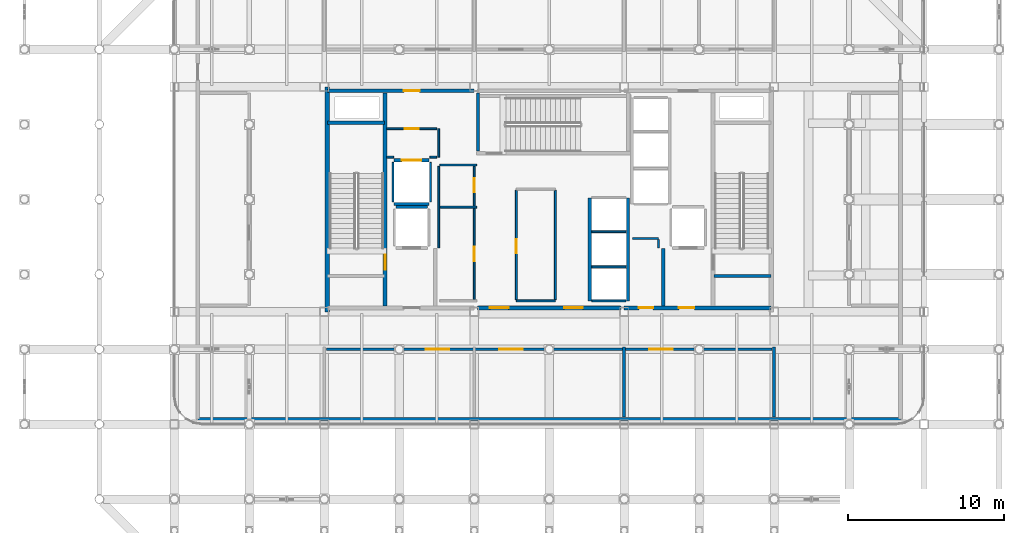
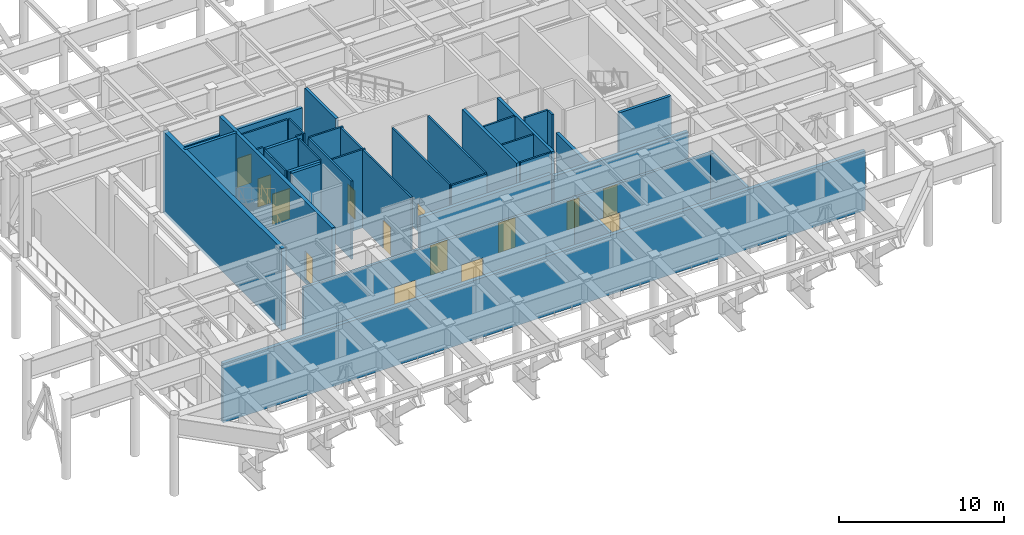
# One storey, part 14 of 20: 36 walls, 14 doors, 14 openings.
"""IFC4 building model written with IfcOpenShell, lengths in metres."""

from ifc_helpers import new_model, si_unit, direction, frame, frame_2d, origin, place, context, subcontext, project, spatial, rectangle, extrude, material, layer, layer_set, type_object, element, fill, save


model = new_model("IFC4")

# Units and contexts
model_context = context("Model", 3, precision=1e-05, world=origin(), true_north=direction((0.0, 1.0)))
body_context = subcontext(model_context, "Body", "Model", "MODEL_VIEW")
ifc_project = project(units=[si_unit("LENGTHUNIT", "METRE"), si_unit("AREAUNIT", "SQUARE_METRE"), si_unit("VOLUMEUNIT", "CUBIC_METRE"), si_unit("PLANEANGLEUNIT", "RADIAN"), si_unit("MASSUNIT", "GRAM", prefix="KILO")], contexts=[model_context])

# Site, building, storey
site_placement = place(None, origin())
site = spatial("IfcSite", under=ifc_project, at=site_placement, CompositionType="ELEMENT")
building_placement = place(site_placement, origin())
building = spatial("IfcBuilding", under=site, at=building_placement, Name="Kallvorn Hotel Tower", CompositionType="ELEMENT")
storey_placement = place(building_placement, frame((0.0, 0.0, 276.199951171875)))
storey = spatial("IfcBuildingStorey", under=building, at=storey_placement, Name="L69", CompositionType="ELEMENT", Elevation=276.199951171875)

# Wall
ifc_material_1 = material(Name="Concrete C50/60", Category="concrete")
ifc_layer_1 = layer(ifc_material_1, 0.300048828125)
ifc_layer_set_1 = layer_set([ifc_layer_1], Name="WL_CORE_300")
wall_type_1 = type_object("IfcWallType", Name="WL_CORE_300", PredefinedType="SHEAR", material=ifc_layer_set_1)
wall_1_placement = place(storey_placement, frame((-14.215087890625, -7.199951171875, -0.25), z_axis=(0.0, 0.0, 1.0), x_axis=(0.0, 1.0, 0.0)))
element("IfcWall", 1, at=wall_1_placement, inside=storey, type_object=wall_type_1, Name="L69 Core West Shear Wall", PredefinedType="SHEAR", context=body_context, shape_type="SweptSolid", body=[
    extrude(rectangle(XDim=14.39990234375, YDim=0.300048828125, at=frame_2d((7.199951171875, 0.0))), origin(), (0.0, 0.0, 1.0), 6.050048828125),
])

# Wall, openings, doors
ifc_material_2 = material(Name="Fire-rated double-layer acoustic gypsum drywall EI 60")
ifc_layer_2 = layer(ifc_material_2, 0.179931640625)
ifc_layer_set_2 = layer_set([ifc_layer_2], Name="WL_CORR_180")
wall_type_2 = type_object("IfcWallType", Name="WL_CORR_180", PredefinedType="PARTITIONING", material=ifc_layer_set_2)
wall_2_placement = place(storey_placement, frame((-14.25, -9.60009765625, 0.0), z_axis=(0.0, 0.0, 1.0), x_axis=(1.0, 0.0, 0.0)))
wall_2 = element("IfcWall", 2, at=wall_2_placement, inside=storey, type_object=wall_type_2, Name="L69 L69 Pressurised Fire Refuge Area South Partition", PredefinedType="PARTITIONING", context=body_context, shape_type="SweptSolid", body=[
    extrude(rectangle(XDim=28.5, YDim=0.179931640625, at=frame_2d((14.25, 0.0))), origin(), (0.0, 0.0, 1.0), 4.400146484375),
])
opening_1_placement = place(wall_2_placement, frame((6.35400390625, 0.0, 0.0)))
opening_1 = element("IfcOpeningElement", 3, at=opening_1_placement, cuts=wall_2, Name="Opening PD1", PredefinedType="OPENING", context=body_context, shape_type="SweptSolid", body=[
    extrude(rectangle(XDim=1.5, YDim=2.199951171875, at=frame_2d((0.75, 1.10009765625))), frame((0.0, 0.104736328125, 0.0), z_axis=(0.0, -1.0, 0.0), x_axis=(1.0, 0.0, 0.0)), (0.0, 0.0, 1.0), 0.2099609375),
])
opening_2_placement = place(wall_2_placement, frame((11.056396484375, 0.0, 0.0)))
opening_2 = element("IfcOpeningElement", 4, at=opening_2_placement, cuts=wall_2, Name="Opening PD1", PredefinedType="OPENING", context=body_context, shape_type="SweptSolid", body=[
    extrude(rectangle(XDim=1.5, YDim=2.199951171875, at=frame_2d((0.75, 1.10009765625))), frame((0.0, 0.104736328125, 0.0), z_axis=(0.0, -1.0, 0.0), x_axis=(1.0, 0.0, 0.0)), (0.0, 0.0, 1.0), 0.2099609375),
])
opening_3_placement = place(wall_2_placement, frame((20.64599609375, 0.0, 0.0)))
opening_3 = element("IfcOpeningElement", 5, at=opening_3_placement, cuts=wall_2, Name="Opening PD1", PredefinedType="OPENING", context=body_context, shape_type="SweptSolid", body=[
    extrude(rectangle(XDim=1.5, YDim=2.199951171875, at=frame_2d((0.75, 1.10009765625))), frame((0.0, 0.104736328125, 0.0), z_axis=(0.0, -1.0, 0.0), x_axis=(1.0, 0.0, 0.0)), (0.0, 0.0, 1.0), 0.2099609375),
])
ifc_material_3 = material(Name="Galvanised painted steel fire-rated door assembly", Category="steel")
door_type_1 = type_object("IfcDoorType", Name="DR_PLANT_1500x2200", OperationType="DOUBLE_DOOR_SINGLE_SWING", PredefinedType="DOOR", material=ifc_material_3)
door_1_placement = place(opening_1_placement, origin())
door_1 = element("IfcDoor", 6, at=door_1_placement, inside=storey, type_object=door_type_1, Name="L69 L69 Pressurised Fire Refuge Area South Door", OperationType="DOUBLE_DOOR_SINGLE_SWING", OverallHeight=2.199951171875, OverallWidth=1.5, PredefinedType="DOOR", context=body_context, shape_type="SweptSolid", body=[
    extrude(rectangle(XDim=1.5, YDim=2.199951171875, at=frame_2d((0.75, 1.10009765625))), frame((0.0, 0.02490234375, 0.0), z_axis=(0.0, -1.0, 0.0), x_axis=(1.0, 0.0, 0.0)), (0.0, 0.0, 1.0), 0.050048828125),
])
fill(opening_1, door_1)
door_2_placement = place(opening_2_placement, origin())
door_2 = element("IfcDoor", 7, at=door_2_placement, inside=storey, type_object=door_type_1, Name="L69 L69 Air Handling and Ventilation Fan Plant Door", OperationType="DOUBLE_DOOR_SINGLE_SWING", OverallHeight=2.199951171875, OverallWidth=1.5, PredefinedType="DOOR", context=body_context, shape_type="SweptSolid", body=[
    extrude(rectangle(XDim=1.5, YDim=2.199951171875, at=frame_2d((0.75, 1.10009765625))), frame((0.0, 0.02490234375, 0.0), z_axis=(0.0, -1.0, 0.0), x_axis=(1.0, 0.0, 0.0)), (0.0, 0.0, 1.0), 0.050048828125),
])
fill(opening_2, door_2)
door_3_placement = place(opening_3_placement, origin())
door_3 = element("IfcDoor", 8, at=door_3_placement, inside=storey, type_object=door_type_1, Name="L69 L69 Chilled-Water Heat Exchanger Plant Door", OperationType="DOUBLE_DOOR_SINGLE_SWING", OverallHeight=2.199951171875, OverallWidth=1.5, PredefinedType="DOOR", context=body_context, shape_type="SweptSolid", body=[
    extrude(rectangle(XDim=1.5, YDim=2.199951171875, at=frame_2d((0.75, 1.10009765625))), frame((0.0, 0.02490234375, 0.0), z_axis=(0.0, -1.0, 0.0), x_axis=(1.0, 0.0, 0.0)), (0.0, 0.0, 1.0), 0.050048828125),
])
fill(opening_3, door_3)

# Walls
for number, where, z_axis, x_axis, name in (
    (9, (4.800048828125, -13.945068359375, 0.0), (0.0, 0.0, 1.0), (0.0, 1.0, 0.0), "L69 L69 Air Handling and Ventilation Fan Plant Partition"),
    (10, (14.39990234375, -13.945068359375, 0.0), (0.0, 0.0, 1.0), (0.0, 1.0, 0.0), "L69 L69 Chilled-Water Heat Exchanger Plant Partition"),
):
    element("IfcWall", number, at=place(storey_placement, frame(where, z_axis=z_axis, x_axis=x_axis)), inside=storey, type_object=wall_type_2, Name=name, PredefinedType="PARTITIONING", context=body_context, shape_type="SweptSolid", body=[
        extrude(rectangle(XDim=4.4951171875, YDim=0.179931640625, at=frame_2d((2.24755859375, 0.0))), origin(), (0.0, 0.0, 1.0), 4.400146484375),
    ])
ifc_material_4 = material(Name="Precast basalt-clad insulated concrete wall C40/50", Category="masonry")
ifc_layer_3 = layer(ifc_material_4, 0.25)
ifc_layer_set_3 = layer_set([ifc_layer_3], Name="WL_EXT_HUB_250")
wall_type_3 = type_object("IfcWallType", Name="WL_EXT_HUB_250", PredefinedType="SOLIDWALL", material=ifc_layer_set_3)
wall_3_placement = place(storey_placement, frame((22.5, -14.080078125, 0.0), z_axis=(0.0, 0.0, 1.0), x_axis=(-1.0, 0.0, 0.0)))
element("IfcWall", 11, at=wall_3_placement, inside=storey, type_object=wall_type_3, Name="L69 Wind-Hub Acoustic Enclosure Wall S", PredefinedType="SOLIDWALL", context=body_context, shape_type="SweptSolid", body=[
    extrude(rectangle(XDim=45.0, YDim=0.25, at=frame_2d((22.5, 0.0))), origin(), (0.0, 0.0, 1.0), 4.400146484375),
])
ifc_material_5 = material(Name="Concrete C40/50", Category="concrete")
ifc_layer_4 = layer(ifc_material_5, 0.219970703125)
ifc_layer_set_4 = layer_set([ifc_layer_4], Name="WL_FFL_220")
wall_type_4 = type_object("IfcWallType", Name="WL_FFL_220", PredefinedType="SOLIDWALL", material=ifc_layer_set_4)
wall_4_placement = place(storey_placement, frame((7.300048828125, -6.820068359375, 0.0), z_axis=(0.0, 0.0, 1.0), x_axis=(0.0, 1.0, 0.0)))
element("IfcWall", 12, at=wall_4_placement, inside=storey, type_object=wall_type_4, Name="L69 Firefighting Lobby East Divider Wall", PredefinedType="SOLIDWALL", context=body_context, shape_type="SweptSolid", body=[
    extrude(rectangle(XDim=3.670166015625, YDim=0.219970703125, at=frame_2d((1.8349609375, 0.0))), origin(), (0.0, 0.0, 1.0), 4.400146484375),
])
ifc_material_6 = material(Name="Concrete C40/50", Category="concrete")
ifc_layer_5 = layer(ifc_material_6, 0.199951171875)
ifc_layer_set_5 = layer_set([ifc_layer_5], Name="WL_HOIST_200")
wall_type_5 = type_object("IfcWallType", Name="WL_HOIST_200", PredefinedType="SOLIDWALL", material=ifc_layer_set_5)
for number, where, z_axis, x_axis, name in (
    (13, (-14.199951171875, 4.89990234375, -0.25), (0.0, 0.0, 1.0), (1.0, 0.0, 0.0), "L69 Stair ST1 North Wall"),
    (14, (10.550048828125, -4.89990234375, -0.25), (0.0, 0.0, 1.0), (1.0, 0.0, 0.0), "L69 Stair ST2 South Wall"),
):
    element("IfcWall", number, at=place(storey_placement, frame(where, z_axis=z_axis, x_axis=x_axis)), inside=storey, type_object=wall_type_5, Name=name, PredefinedType="SOLIDWALL", context=body_context, shape_type="SweptSolid", body=[
        extrude(rectangle(XDim=3.64990234375, YDim=0.199951171875, at=frame_2d((1.824951171875, 0.0))), origin(), (0.0, 0.0, 1.0), 6.050048828125),
    ])
wall_5_placement = place(storey_placement, frame((-4.550048828125, 3.080078125, -0.25), z_axis=(0.0, 0.0, 1.0), x_axis=(0.0, 1.0, 0.0)))
element("IfcWall", 15, at=wall_5_placement, inside=storey, type_object=wall_type_5, Name="L69 Stair ST3 West Wall", PredefinedType="SOLIDWALL", context=body_context, shape_type="SweptSolid", body=[
    extrude(rectangle(XDim=3.739990234375, YDim=0.199951171875, at=frame_2d((1.8701171875, 0.0))), origin(), (0.0, 0.0, 1.0), 6.050048828125),
])
for number, where, z_axis, x_axis, name in (
    (16, (2.60009765625, -6.5, 0.0), (0.0, 0.0, 1.0), (0.0, 1.0, 0.0), "L69 Lift Bank B3A Landing Wall"),
    (17, (5.050048828125, -6.5, 0.0), (0.0, 0.0, 1.0), (0.0, 1.0, 0.0), "L69 Lift Bank B3A Rear Shaft Wall"),
):
    element("IfcWall", number, at=place(storey_placement, frame(where, z_axis=z_axis, x_axis=x_axis)), inside=storey, type_object=wall_type_5, Name=name, PredefinedType="SOLIDWALL", context=body_context, shape_type="SweptSolid", body=[
        extrude(rectangle(XDim=6.60009765625, YDim=0.199951171875, at=frame_2d((3.300048828125, 0.0))), origin(), (0.0, 0.0, 1.0), 5.800048828125),
    ])
wall_6_placement = place(storey_placement, frame((-9.820068359375, -0.5, 0.0), z_axis=(0.0, 0.0, 1.0), x_axis=(1.0, 0.0, 0.0)))
element("IfcWall", 18, at=wall_6_placement, inside=storey, type_object=wall_type_5, Name="L69 FL-1 Rear Shaft Wall", PredefinedType="SOLIDWALL", context=body_context, shape_type="SweptSolid", body=[
    extrude(rectangle(XDim=2.0400390625, YDim=0.199951171875, at=frame_2d((1.02001953125, 0.0))), origin(), (0.0, 0.0, 1.0), 5.800048828125),
])

# Wall, opening, door
wall_7_placement = place(storey_placement, frame((-9.919921875, 2.5, 0.0), z_axis=(0.0, 0.0, 1.0), x_axis=(1.0, 0.0, 0.0)))
wall_7 = element("IfcWall", 19, at=wall_7_placement, inside=storey, type_object=wall_type_5, Name="L69 SV-01 Landing Wall", PredefinedType="SOLIDWALL", context=body_context, shape_type="SweptSolid", body=[
    extrude(rectangle(XDim=2.239990234375, YDim=0.199951171875, at=frame_2d((1.1201171875, 0.0))), origin(), (0.0, 0.0, 1.0), 5.800048828125),
])
opening_4_placement = place(wall_7_placement, frame((0.4951171875, 0.0, 0.0)))
opening_4 = element("IfcOpeningElement", 20, at=opening_4_placement, cuts=wall_7, Name="Opening LD-SV-01", PredefinedType="OPENING", context=body_context, shape_type="SweptSolid", body=[
    extrude(rectangle(XDim=1.25, YDim=2.25, at=frame_2d((0.625, 1.125))), frame((0.0, 0.114990234375, 0.0), z_axis=(0.0, -1.0, 0.0), x_axis=(1.0, 0.0, 0.0)), (0.0, 0.0, 1.0), 0.22998046875),
])
ifc_material_7 = material(Name="Brushed stainless-steel automatic sliding lift landing door", Category="steel")
door_type_2 = type_object("IfcDoorType", Name="LD_SERV_1250x2250", OperationType="SLIDING_TO_LEFT", PredefinedType="DOOR", material=ifc_material_7)
door_4_placement = place(opening_4_placement, origin())
door_4 = element("IfcDoor", 21, at=door_4_placement, inside=storey, type_object=door_type_2, Name="L69 Lift Landing Sliding Door LD-SV-01", OperationType="SLIDING_TO_LEFT", OverallHeight=2.25, OverallWidth=1.25, PredefinedType="DOOR", context=body_context, shape_type="SweptSolid", body=[
    extrude(rectangle(XDim=1.25, YDim=2.25, at=frame_2d((0.625, 1.125))), frame((0.0, 0.02490234375, 0.0), z_axis=(0.0, -1.0, 0.0), x_axis=(1.0, 0.0, 0.0)), (0.0, 0.0, 1.0), 0.050048828125),
])
fill(opening_4, door_4)

# Walls
wall_8_placement = place(storey_placement, frame((-9.919921875, -0.300048828125, 0.0), z_axis=(0.0, 0.0, 1.0), x_axis=(1.0, 0.0, 0.0)))
element("IfcWall", 22, at=wall_8_placement, inside=storey, type_object=wall_type_5, Name="L69 SV-01 Rear Shaft Wall", PredefinedType="SOLIDWALL", context=body_context, shape_type="SweptSolid", body=[
    extrude(rectangle(XDim=2.239990234375, YDim=0.199951171875, at=frame_2d((1.1201171875, 0.0))), origin(), (0.0, 0.0, 1.0), 5.800048828125),
])
ifc_material_8 = material(Name="Fire-rated double-layer acoustic gypsum drywall EI 60")
ifc_layer_6 = layer(ifc_material_8, 0.1201171875)
ifc_layer_set_6 = layer_set([ifc_layer_6], Name="WL_INT_120")
wall_type_6 = type_object("IfcWallType", Name="WL_INT_120", PredefinedType="PARTITIONING", material=ifc_layer_set_6)
for number, where, z_axis, x_axis, name in (
    (23, (2.739990234375, -6.5, 0.0), (0.0, 0.0, 1.0), (1.0, 0.0, 0.0), "L69 Lift Bank B3A South Closure Wall"),
    (24, (2.739990234375, -4.324951171875, 0.0), (0.0, 0.0, 1.0), (1.0, 0.0, 0.0), "L69 PL-09 Hoistway Divider"),
    (25, (2.739990234375, -2.074951171875, 0.0), (0.0, 0.0, 1.0), (1.0, 0.0, 0.0), "L69 PL-10 Hoistway Divider"),
):
    element("IfcWall", number, at=place(storey_placement, frame(where, z_axis=z_axis, x_axis=x_axis)), inside=storey, type_object=wall_type_6, Name=name, PredefinedType="PARTITIONING", context=body_context, shape_type="SweptSolid", body=[
        extrude(rectangle(XDim=2.169921875, YDim=0.1201171875, at=frame_2d((1.0849609375, 0.0))), origin(), (0.0, 0.0, 1.0), 5.800048828125),
    ])
for number, where, z_axis, x_axis, name in (
    (26, (-10.0, -0.159912109375, 0.0), (0.0, 0.0, 1.0), (0.0, 1.0, 0.0), "L69 SV-01 West Shaft Wall"),
    (27, (-7.60009765625, -0.159912109375, 0.0), (0.0, 0.0, 1.0), (0.0, 1.0, 0.0), "L69 SV-01 East Shaft Wall"),
):
    element("IfcWall", number, at=place(storey_placement, frame(where, z_axis=z_axis, x_axis=x_axis)), inside=storey, type_object=wall_type_6, Name=name, PredefinedType="PARTITIONING", context=body_context, shape_type="SweptSolid", body=[
        extrude(rectangle(XDim=2.52001953125, YDim=0.1201171875, at=frame_2d((1.260009765625, 0.0))), origin(), (0.0, 0.0, 1.0), 5.800048828125),
    ])
wall_9_placement = place(storey_placement, frame((-2.10009765625, -6.5, 0.0), z_axis=(0.0, 0.0, 1.0), x_axis=(1.0, 0.0, 0.0)))
element("IfcWall", 28, at=wall_9_placement, inside=storey, type_object=wall_type_6, Name="L69 High-Zone IT and Tableware Reserve Room Partition", PredefinedType="PARTITIONING", context=body_context, shape_type="SweptSolid", body=[
    extrude(rectangle(XDim=2.5, YDim=0.1201171875, at=frame_2d((1.25, 0.0))), origin(), (0.0, 0.0, 1.0), 5.800048828125),
])
for number, where, z_axis, x_axis, name in (
    (29, (-7.0, -0.5, 0.0), (0.0, 0.0, 1.0), (1.0, 0.0, 0.0), "L69 Recaptured Full-Depth Sommelier Store Partition"),
    (30, (-7.0, 2.199951171875, 0.0), (0.0, 0.0, 1.0), (1.0, 0.0, 0.0), "L69 Recaptured Housekeeping Prep Room Partition"),
):
    element("IfcWall", number, at=place(storey_placement, frame(where, z_axis=z_axis, x_axis=x_axis)), inside=storey, type_object=wall_type_6, Name=name, PredefinedType="PARTITIONING", context=body_context, shape_type="SweptSolid", body=[
        extrude(rectangle(XDim=2.35009765625, YDim=0.1201171875, at=frame_2d((1.175048828125, 0.0))), origin(), (0.0, 0.0, 1.0), 5.800048828125),
    ])
for number, where, z_axis, x_axis, name in (
    (31, (-10.39990234375, 2.699951171875, 0.0), (0.0, 0.0, 1.0), (1.0, 0.0, 0.0), "L69 Core Telecom and Metering Store Partition"),
    (32, (-7.639892578125, 2.699951171875, 0.0), (0.0, 0.0, 1.0), (1.0, 0.0, 0.0), "L69 Core Telecom and Metering Store Partition"),
):
    element("IfcWall", number, at=place(storey_placement, frame(where, z_axis=z_axis, x_axis=x_axis)), inside=storey, type_object=wall_type_6, Name=name, PredefinedType="PARTITIONING", context=body_context, shape_type="SweptSolid", body=[
        extrude(rectangle(XDim=0.43994140625, YDim=0.1201171875, at=frame_2d((0.219970703125, 0.0))), origin(), (0.0, 0.0, 1.0), 5.800048828125),
    ])

# Wall, opening, door
wall_10_placement = place(storey_placement, frame((-10.39990234375, 4.52001953125, 0.0), z_axis=(0.0, 0.0, 1.0), x_axis=(1.0, 0.0, 0.0)))
wall_10 = element("IfcWall", 33, at=wall_10_placement, inside=storey, type_object=wall_type_6, Name="L69 Core Telecom and Metering Store Partition", PredefinedType="PARTITIONING", context=body_context, shape_type="SweptSolid", body=[
    extrude(rectangle(XDim=3.199951171875, YDim=0.1201171875, at=frame_2d((1.60009765625, 0.0))), origin(), (0.0, 0.0, 1.0), 5.800048828125),
])
opening_5_placement = place(wall_10_placement, frame((1.14990234375, 0.0, 0.0)))
opening_5 = element("IfcOpeningElement", 34, at=opening_5_placement, cuts=wall_10, Name="Opening SVD1", PredefinedType="OPENING", context=body_context, shape_type="SweptSolid", body=[
    extrude(rectangle(XDim=0.89990234375, YDim=2.10009765625, at=frame_2d((0.449951171875, 1.050048828125))), frame((0.0, 0.074951171875, 0.0), z_axis=(0.0, -1.0, 0.0), x_axis=(1.0, 0.0, 0.0)), (0.0, 0.0, 1.0), 0.150146484375),
])
ifc_material_9 = material(Name="Galvanised painted steel fire-rated door assembly", Category="steel")
door_type_3 = type_object("IfcDoorType", Name="DR_SERV_900x2100", OperationType="NOTDEFINED", PredefinedType="DOOR", material=ifc_material_9)
door_5_placement = place(opening_5_placement, origin())
door_5 = element("IfcDoor", 35, at=door_5_placement, inside=storey, type_object=door_type_3, Name="L69 Core Telecom and Metering Store Door", OperationType="SINGLE_SWING_LEFT", OverallHeight=2.10009765625, OverallWidth=0.89990234375, PredefinedType="DOOR", context=body_context, shape_type="SweptSolid", body=[
    extrude(rectangle(XDim=0.89990234375, YDim=2.10009765625, at=frame_2d((0.449951171875, 1.050048828125))), frame((0.0, 0.02490234375, 0.0), z_axis=(0.0, -1.0, 0.0), x_axis=(1.0, 0.0, 0.0)), (0.0, 0.0, 1.0), 0.050048828125),
])
fill(opening_5, door_5)

# Walls
wall_11_placement = place(storey_placement, frame((-7.066650390625, -3.110107421875, 0.0), z_axis=(0.0, 0.0, 1.0), x_axis=(0.0, 1.0, 0.0)))
element("IfcWall", 36, at=wall_11_placement, inside=storey, type_object=wall_type_6, Name="L69 Recaptured Full-Depth Sommelier Store Partition", PredefinedType="PARTITIONING", context=body_context, shape_type="SweptSolid", body=[
    extrude(rectangle(XDim=5.22509765625, YDim=0.1201171875, at=frame_2d((2.612548828125, 0.0))), origin(), (0.0, 0.0, 1.0), 5.800048828125),
])
wall_12_placement = place(storey_placement, frame((-7.066650390625, 2.699951171875, 0.0), z_axis=(0.0, 0.0, 1.0), x_axis=(0.0, 1.0, 0.0)))
element("IfcWall", 37, at=wall_12_placement, inside=storey, type_object=wall_type_6, Name="L69 Core Telecom and Metering Store Partition", PredefinedType="PARTITIONING", context=body_context, shape_type="SweptSolid", body=[
    extrude(rectangle(XDim=1.820068359375, YDim=0.1201171875, at=frame_2d((0.91015625, 0.0))), origin(), (0.0, 0.0, 1.0), 5.800048828125),
])

# Wall, openings, doors
wall_13_placement = place(storey_placement, frame((-4.800048828125, -6.4150390625, 0.0), z_axis=(0.0, 0.0, 1.0), x_axis=(0.0, 1.0, 0.0)))
wall_13 = element("IfcWall", 38, at=wall_13_placement, inside=storey, type_object=wall_type_6, Name="L69 Recaptured Full-Depth Sommelier Store Partition", PredefinedType="PARTITIONING", context=body_context, shape_type="SweptSolid", body=[
    extrude(rectangle(XDim=8.530029296875, YDim=0.1201171875, at=frame_2d((4.26513671875, 0.0))), origin(), (0.0, 0.0, 1.0), 5.800048828125),
])
opening_6_placement = place(wall_13_placement, frame((2.465087890625, 0.0, 0.0)))
opening_6 = element("IfcOpeningElement", 39, at=opening_6_placement, cuts=wall_13, Name="Opening SVD1", PredefinedType="OPENING", context=body_context, shape_type="SweptSolid", body=[
    extrude(rectangle(XDim=0.89990234375, YDim=2.10009765625, at=frame_2d((0.449951171875, 1.050048828125))), frame((0.0, 0.074951171875, 0.0), z_axis=(0.0, -1.0, 0.0), x_axis=(1.0, 0.0, 0.0)), (0.0, 0.0, 1.0), 0.150146484375),
])
opening_7_placement = place(wall_13_placement, frame((6.864990234375, 0.0, 0.0)))
opening_7 = element("IfcOpeningElement", 40, at=opening_7_placement, cuts=wall_13, Name="Opening SVD1", PredefinedType="OPENING", context=body_context, shape_type="SweptSolid", body=[
    extrude(rectangle(XDim=0.89990234375, YDim=2.10009765625, at=frame_2d((0.449951171875, 1.050048828125))), frame((0.0, 0.074951171875, 0.0), z_axis=(0.0, -1.0, 0.0), x_axis=(1.0, 0.0, 0.0)), (0.0, 0.0, 1.0), 0.150146484375),
])
door_6_placement = place(opening_6_placement, origin())
door_6 = element("IfcDoor", 41, at=door_6_placement, inside=storey, type_object=door_type_3, Name="L69 Recaptured Full-Depth Sommelier Store Door", OperationType="SINGLE_SWING_LEFT", OverallHeight=2.10009765625, OverallWidth=0.89990234375, PredefinedType="DOOR", context=body_context, shape_type="SweptSolid", body=[
    extrude(rectangle(XDim=0.89990234375, YDim=2.10009765625, at=frame_2d((0.449951171875, 1.050048828125))), frame((0.0, 0.02490234375, 0.0), z_axis=(0.0, -1.0, 0.0), x_axis=(1.0, 0.0, 0.0)), (0.0, 0.0, 1.0), 0.050048828125),
])
fill(opening_6, door_6)
door_7_placement = place(opening_7_placement, origin())
door_7 = element("IfcDoor", 42, at=door_7_placement, inside=storey, type_object=door_type_3, Name="L69 Recaptured Housekeeping Prep Room Door", OperationType="SINGLE_SWING_RIGHT", OverallHeight=2.10009765625, OverallWidth=0.89990234375, PredefinedType="DOOR", context=body_context, shape_type="SweptSolid", body=[
    extrude(rectangle(XDim=0.89990234375, YDim=2.10009765625, at=frame_2d((0.449951171875, 1.050048828125))), frame((0.0, 0.02490234375, 0.0), z_axis=(0.0, -1.0, 0.0), x_axis=(1.0, 0.0, 0.0)), (0.0, 0.0, 1.0), 0.050048828125),
])
fill(opening_7, door_7)

# Wall, opening, door
wall_14_placement = place(storey_placement, frame((-2.10009765625, -6.4150390625, 0.0), z_axis=(0.0, 0.0, 1.0), x_axis=(0.0, 1.0, 0.0)))
wall_14 = element("IfcWall", 43, at=wall_14_placement, inside=storey, type_object=wall_type_6, Name="L69 High-Zone IT and Tableware Reserve Room Partition", PredefinedType="PARTITIONING", context=body_context, shape_type="SweptSolid", body=[
    extrude(rectangle(XDim=6.97998046875, YDim=0.1201171875, at=frame_2d((3.489990234375, 0.0))), origin(), (0.0, 0.0, 1.0), 5.800048828125),
])
opening_8_placement = place(wall_14_placement, frame((2.965087890625, 0.0, 0.0)))
opening_8 = element("IfcOpeningElement", 44, at=opening_8_placement, cuts=wall_14, Name="Opening SVD1", PredefinedType="OPENING", context=body_context, shape_type="SweptSolid", body=[
    extrude(rectangle(XDim=0.89990234375, YDim=2.10009765625, at=frame_2d((0.449951171875, 1.050048828125))), frame((0.0, 0.074951171875, 0.0), z_axis=(0.0, -1.0, 0.0), x_axis=(1.0, 0.0, 0.0)), (0.0, 0.0, 1.0), 0.150146484375),
])
door_8_placement = place(opening_8_placement, origin())
door_8 = element("IfcDoor", 45, at=door_8_placement, inside=storey, type_object=door_type_3, Name="L69 High-Zone IT and Tableware Reserve Room Door", OperationType="SINGLE_SWING_LEFT", OverallHeight=2.10009765625, OverallWidth=0.89990234375, PredefinedType="DOOR", context=body_context, shape_type="SweptSolid", body=[
    extrude(rectangle(XDim=0.89990234375, YDim=2.10009765625, at=frame_2d((0.449951171875, 1.050048828125))), frame((0.0, 0.02490234375, 0.0), z_axis=(0.0, -1.0, 0.0), x_axis=(1.0, 0.0, 0.0)), (0.0, 0.0, 1.0), 0.050048828125),
])
fill(opening_8, door_8)

# Walls
wall_15_placement = place(storey_placement, frame((0.39990234375, -6.4150390625, 0.0), z_axis=(0.0, 0.0, 1.0), x_axis=(0.0, 1.0, 0.0)))
element("IfcWall", 46, at=wall_15_placement, inside=storey, type_object=wall_type_6, Name="L69 High-Zone IT and Tableware Reserve Room Partition", PredefinedType="PARTITIONING", context=body_context, shape_type="SweptSolid", body=[
    extrude(rectangle(XDim=6.97998046875, YDim=0.1201171875, at=frame_2d((3.489990234375, 0.0))), origin(), (0.0, 0.0, 1.0), 5.800048828125),
])
ifc_material_10 = material(Name="Moisture-resistant acoustic plumbing chase wall EI 60")
ifc_layer_7 = layer(ifc_material_10, 0.139892578125)
ifc_layer_set_7 = layer_set([ifc_layer_7], Name="WL_PLUMB_140")
wall_type_7 = type_object("IfcWallType", Name="WL_PLUMB_140", PredefinedType="PLUMBINGWALL", material=ifc_layer_set_7)
wall_16_placement = place(storey_placement, frame((5.35009765625, -2.5, 0.0), z_axis=(0.0, 0.0, 1.0), x_axis=(1.0, 0.0, 0.0)))
element("IfcWall", 47, at=wall_16_placement, inside=storey, type_object=wall_type_7, Name="L69 Core Accessible Staff WC Partition", PredefinedType="PLUMBINGWALL", context=body_context, shape_type="SweptSolid", body=[
    extrude(rectangle(XDim=1.64990234375, YDim=0.139892578125, at=frame_2d((0.824951171875, 0.0))), origin(), (0.0, 0.0, 1.0), 5.800048828125),
])
wall_17_placement = place(storey_placement, frame((7.0, -3.110107421875, 0.0), z_axis=(0.0, 0.0, 1.0), x_axis=(0.0, 1.0, 0.0)))
element("IfcWall", 48, at=wall_17_placement, inside=storey, type_object=wall_type_7, Name="L69 Core Accessible Staff WC Partition", PredefinedType="PLUMBINGWALL", context=body_context, shape_type="SweptSolid", body=[
    extrude(rectangle(XDim=0.525146484375, YDim=0.139892578125, at=frame_2d((0.2626953125, 0.0))), origin(), (0.0, 0.0, 1.0), 5.800048828125),
])

# Wall, openings, doors
ifc_material_11 = material(Name="Concrete C40/50", Category="concrete")
ifc_layer_8 = layer(ifc_material_11, 0.25)
ifc_layer_set_8 = layer_set([ifc_layer_8], Name="WL_SHAFT_250")
wall_type_8 = type_object("IfcWallType", Name="WL_SHAFT_250", PredefinedType="SOLIDWALL", material=ifc_layer_set_8)
wall_18_placement = place(storey_placement, frame((-4.60009765625, -6.949951171875, 0.0), z_axis=(0.0, 0.0, 1.0), x_axis=(1.0, 0.0, 0.0)))
wall_18 = element("IfcWall", 49, at=wall_18_placement, inside=storey, type_object=wall_type_8, Name="L69 Core South-Central Wall", PredefinedType="SOLIDWALL", context=body_context, shape_type="SweptSolid", body=[
    extrude(rectangle(XDim=9.2001953125, YDim=0.25, at=frame_2d((4.60009765625, 0.0))), origin(), (0.0, 0.0, 1.0), 4.60009765625),
])
opening_9_placement = place(wall_18_placement, frame((0.800048828125, 0.0, 0.0)))
opening_9 = element("IfcOpeningElement", 50, at=opening_9_placement, cuts=wall_18, Name="Opening FD2", PredefinedType="OPENING", context=body_context, shape_type="SweptSolid", body=[
    extrude(rectangle(XDim=1.199951171875, YDim=2.199951171875, at=frame_2d((0.60009765625, 1.10009765625))), frame((0.0, 0.139892578125, 0.0), z_axis=(0.0, -1.0, 0.0), x_axis=(1.0, 0.0, 0.0)), (0.0, 0.0, 1.0), 0.280029296875),
])
opening_10_placement = place(wall_18_placement, frame((5.550048828125, 0.0, 0.0)))
opening_10 = element("IfcOpeningElement", 51, at=opening_10_placement, cuts=wall_18, Name="Opening FD2", PredefinedType="OPENING", context=body_context, shape_type="SweptSolid", body=[
    extrude(rectangle(XDim=1.199951171875, YDim=2.199951171875, at=frame_2d((0.60009765625, 1.10009765625))), frame((0.0, 0.139892578125, 0.0), z_axis=(0.0, -1.0, 0.0), x_axis=(1.0, 0.0, 0.0)), (0.0, 0.0, 1.0), 0.280029296875),
])
ifc_material_12 = material(Name="Galvanised painted steel fire-rated door assembly", Category="steel")
door_type_4 = type_object("IfcDoorType", Name="DR_LOBBY_1200x2200", OperationType="DOUBLE_DOOR_SINGLE_SWING", PredefinedType="DOOR", material=ifc_material_12)
door_9_placement = place(opening_9_placement, origin())
door_9 = element("IfcDoor", 52, at=door_9_placement, inside=storey, type_object=door_type_4, Name="L69 West Passenger Lift Lobby Door", OperationType="DOUBLE_DOOR_SINGLE_SWING", OverallHeight=2.199951171875, OverallWidth=1.199951171875, PredefinedType="DOOR", context=body_context, shape_type="SweptSolid", body=[
    extrude(rectangle(XDim=1.199951171875, YDim=2.199951171875, at=frame_2d((0.60009765625, 1.10009765625))), frame((0.0, 0.02490234375, 0.0), z_axis=(0.0, -1.0, 0.0), x_axis=(1.0, 0.0, 0.0)), (0.0, 0.0, 1.0), 0.050048828125),
])
fill(opening_9, door_9)
door_10_placement = place(opening_10_placement, origin())
door_10 = element("IfcDoor", 53, at=door_10_placement, inside=storey, type_object=door_type_4, Name="L69 East Passenger Lift Lobby Door", OperationType="DOUBLE_DOOR_SINGLE_SWING", OverallHeight=2.199951171875, OverallWidth=1.199951171875, PredefinedType="DOOR", context=body_context, shape_type="SweptSolid", body=[
    extrude(rectangle(XDim=1.199951171875, YDim=2.199951171875, at=frame_2d((0.60009765625, 1.10009765625))), frame((0.0, 0.02490234375, 0.0), z_axis=(0.0, -1.0, 0.0), x_axis=(1.0, 0.0, 0.0)), (0.0, 0.0, 1.0), 0.050048828125),
])
fill(opening_10, door_10)

wall_19_placement = place(storey_placement, frame((4.800048828125, -6.949951171875, 0.0), z_axis=(0.0, 0.0, 1.0), x_axis=(1.0, 0.0, 0.0)))
wall_19 = element("IfcWall", 54, at=wall_19_placement, inside=storey, type_object=wall_type_8, Name="L69 Core South-East Wall", PredefinedType="SOLIDWALL", context=body_context, shape_type="SweptSolid", body=[
    extrude(rectangle(XDim=9.39990234375, YDim=0.25, at=frame_2d((4.699951171875, 0.0))), origin(), (0.0, 0.0, 1.0), 4.400146484375),
])
opening_11_placement = place(wall_19_placement, frame((3.5, 0.0, 0.0)))
opening_11 = element("IfcOpeningElement", 55, at=opening_11_placement, cuts=wall_19, Name="Opening FD1", PredefinedType="OPENING", context=body_context, shape_type="SweptSolid", body=[
    extrude(rectangle(XDim=1.0, YDim=2.14990234375, at=frame_2d((0.5, 1.074951171875))), frame((0.0, 0.139892578125, 0.0), z_axis=(0.0, -1.0, 0.0), x_axis=(1.0, 0.0, 0.0)), (0.0, 0.0, 1.0), 0.280029296875),
])
opening_12_placement = place(wall_19_placement, frame((0.949951171875, 0.0, 0.0)))
opening_12 = element("IfcOpeningElement", 56, at=opening_12_placement, cuts=wall_19, Name="Opening SVD1", PredefinedType="OPENING", context=body_context, shape_type="SweptSolid", body=[
    extrude(rectangle(XDim=0.89990234375, YDim=2.10009765625, at=frame_2d((0.449951171875, 1.050048828125))), frame((0.0, 0.139892578125, 0.0), z_axis=(0.0, -1.0, 0.0), x_axis=(1.0, 0.0, 0.0)), (0.0, 0.0, 1.0), 0.280029296875),
])
ifc_material_13 = material(Name="Galvanised painted steel fire-rated door assembly", Category="steel")
door_type_5 = type_object("IfcDoorType", Name="DR_FFL_1000x2150", OperationType="NOTDEFINED", PredefinedType="DOOR", material=ifc_material_13)
door_11_placement = place(opening_11_placement, origin())
door_11 = element("IfcDoor", 57, at=door_11_placement, inside=storey, type_object=door_type_5, Name="L69 Firefighting Lobby East Door", OperationType="SINGLE_SWING_LEFT", OverallHeight=2.14990234375, OverallWidth=1.0, PredefinedType="DOOR", context=body_context, shape_type="SweptSolid", body=[
    extrude(rectangle(XDim=1.0, YDim=2.14990234375, at=frame_2d((0.5, 1.074951171875))), frame((0.0, 0.02490234375, 0.0), z_axis=(0.0, -1.0, 0.0), x_axis=(1.0, 0.0, 0.0)), (0.0, 0.0, 1.0), 0.050048828125),
])
fill(opening_11, door_11)
door_12_placement = place(opening_12_placement, origin())
door_12 = element("IfcDoor", 58, at=door_12_placement, inside=storey, type_object=door_type_3, Name="L69 Core Accessible Staff WC Door", OperationType="SINGLE_SWING_LEFT", OverallHeight=2.10009765625, OverallWidth=0.89990234375, PredefinedType="DOOR", context=body_context, shape_type="SweptSolid", body=[
    extrude(rectangle(XDim=0.89990234375, YDim=2.10009765625, at=frame_2d((0.449951171875, 1.050048828125))), frame((0.0, 0.02490234375, 0.0), z_axis=(0.0, -1.0, 0.0), x_axis=(1.0, 0.0, 0.0)), (0.0, 0.0, 1.0), 0.050048828125),
])
fill(opening_12, door_12)

# Wall, opening, door
wall_20_placement = place(storey_placement, frame((-14.199951171875, 6.949951171875, 0.0), z_axis=(0.0, 0.0, 1.0), x_axis=(1.0, 0.0, 0.0)))
wall_20 = element("IfcWall", 59, at=wall_20_placement, inside=storey, type_object=wall_type_8, Name="L69 Core North-West Wall", PredefinedType="SOLIDWALL", context=body_context, shape_type="SweptSolid", body=[
    extrude(rectangle(XDim=9.39990234375, YDim=0.25, at=frame_2d((4.699951171875, 0.0))), origin(), (0.0, 0.0, 1.0), 4.400146484375),
])
opening_13_placement = place(wall_20_placement, frame((4.89990234375, 0.0, 0.0)))
opening_13 = element("IfcOpeningElement", 60, at=opening_13_placement, cuts=wall_20, Name="Opening FD1", PredefinedType="OPENING", context=body_context, shape_type="SweptSolid", body=[
    extrude(rectangle(XDim=1.0, YDim=2.14990234375, at=frame_2d((0.5, 1.074951171875))), frame((0.0, 0.139892578125, 0.0), z_axis=(0.0, -1.0, 0.0), x_axis=(1.0, 0.0, 0.0)), (0.0, 0.0, 1.0), 0.280029296875),
])
door_13_placement = place(opening_13_placement, origin())
door_13 = element("IfcDoor", 61, at=door_13_placement, inside=storey, type_object=door_type_5, Name="L69 Service Lift Lobby Door", OperationType="SINGLE_SWING_RIGHT", OverallHeight=2.14990234375, OverallWidth=1.0, PredefinedType="DOOR", context=body_context, shape_type="SweptSolid", body=[
    extrude(rectangle(XDim=1.0, YDim=2.14990234375, at=frame_2d((0.5, 1.074951171875))), frame((0.0, 0.02490234375, 0.0), z_axis=(0.0, -1.0, 0.0), x_axis=(1.0, 0.0, 0.0)), (0.0, 0.0, 1.0), 0.050048828125),
])
fill(opening_13, door_13)

wall_21_placement = place(storey_placement, frame((-10.5, -6.820068359375, -0.25), z_axis=(0.0, 0.0, 1.0), x_axis=(0.0, 1.0, 0.0)))
wall_21 = element("IfcWall", 62, at=wall_21_placement, inside=storey, type_object=wall_type_8, Name="L69 Stair ST1 Shaft Wall", PredefinedType="SOLIDWALL", context=body_context, shape_type="SweptSolid", body=[
    extrude(rectangle(XDim=13.64013671875, YDim=0.25, at=frame_2d((6.820068359375, 0.0))), origin(), (0.0, 0.0, 1.0), 6.050048828125),
])
opening_14_placement = place(wall_21_placement, frame((2.320068359375, 0.0, 0.25)))
opening_14 = element("IfcOpeningElement", 63, at=opening_14_placement, cuts=wall_21, Name="Opening SD1", PredefinedType="OPENING", context=body_context, shape_type="SweptSolid", body=[
    extrude(rectangle(XDim=0.949951171875, YDim=2.14990234375, at=frame_2d((0.47509765625, 1.074951171875))), frame((0.0, 0.139892578125, 0.0), z_axis=(0.0, -1.0, 0.0), x_axis=(1.0, 0.0, 0.0)), (0.0, 0.0, 1.0), 0.280029296875),
])
ifc_material_14 = material(Name="Galvanised painted steel fire-rated door assembly", Category="steel")
door_type_6 = type_object("IfcDoorType", Name="DR_STAIR_950x2150", OperationType="NOTDEFINED", PredefinedType="DOOR", material=ifc_material_14)
door_14_placement = place(opening_14_placement, origin())
door_14 = element("IfcDoor", 64, at=door_14_placement, inside=storey, type_object=door_type_6, Name="L69 Exit Stair ST1 Fire Door", OperationType="SINGLE_SWING_RIGHT", OverallHeight=2.14990234375, OverallWidth=0.949951171875, PredefinedType="DOOR", context=body_context, shape_type="SweptSolid", body=[
    extrude(rectangle(XDim=0.949951171875, YDim=2.14990234375, at=frame_2d((0.47509765625, 1.074951171875))), frame((0.0, 0.02490234375, 0.0), z_axis=(0.0, -1.0, 0.0), x_axis=(1.0, 0.0, 0.0)), (0.0, 0.0, 1.0), 0.050048828125),
])
fill(opening_14, door_14)

save(model, "model.ifc")
